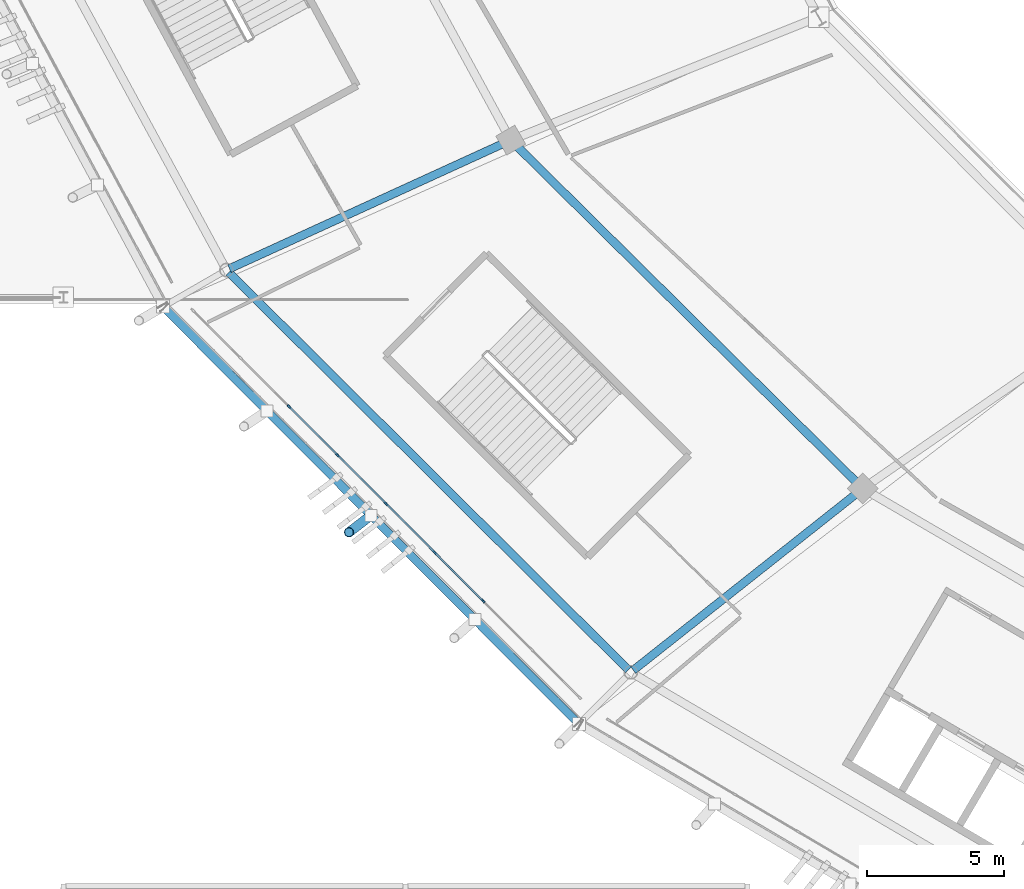
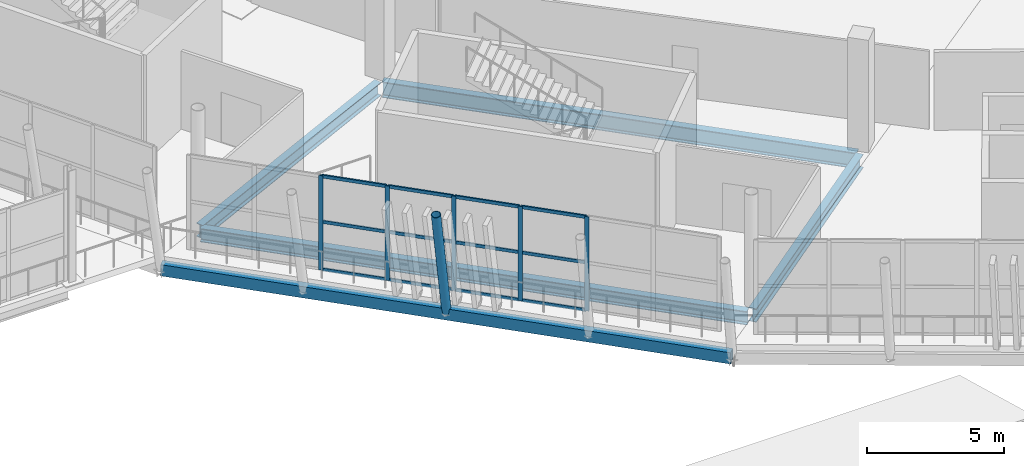
# One storey, part 30 of 179: 18 members, 5 beams, 1 element without a shape of its own.
"""IFC4 building model written with IfcOpenShell, lengths in metres."""

from ifc_helpers import new_model, si_unit, direction, frame, origin, origin_2d, place, context, subcontext, project, spatial, rectangle, hollow_rectangle, hollow_circle, i_section, extrude, material, material_profile, profile_set, type_object, element, aggregate, save


model = new_model("IFC4")

# Units and contexts
model_context = context("Model", 3, precision=1e-05, world=origin(), true_north=direction((0.0, 1.0)))
body_context = subcontext(model_context, "Body", "Model", "MODEL_VIEW")
ifc_project = project(units=[si_unit("LENGTHUNIT", "METRE"), si_unit("AREAUNIT", "SQUARE_METRE"), si_unit("VOLUMEUNIT", "CUBIC_METRE"), si_unit("PLANEANGLEUNIT", "RADIAN"), si_unit("MASSUNIT", "GRAM", prefix="KILO")], contexts=[model_context])

# Site, building, storey
site_placement = place(None, origin())
site = spatial("IfcSite", under=ifc_project, at=site_placement, CompositionType="ELEMENT")
building_placement = place(site_placement, origin())
building = spatial("IfcBuilding", under=site, at=building_placement, Name="Zlatoyarsky Gate Stadium", CompositionType="ELEMENT")
storey_placement = place(building_placement, frame((0.0, 0.0, 10.60009765625)))
storey = spatial("IfcBuildingStorey", under=building, at=storey_placement, Name="L02", CompositionType="ELEMENT", Elevation=10.60009765625)

# Curtain wall, members
ifc_material_1 = material(Name="Thermally broken anodised aluminium curtain wall", Category="aluminium")
curtain_wall_type = type_object("IfcCurtainWallType", Name="UNITISED HOSPITALITY GLAZING L02", PredefinedType="USERDEFINED", material=ifc_material_1)
curtain_wall_placement = place(storey_placement, origin())
curtain_wall = element("IfcCurtainWall", 1, at=curtain_wall_placement, inside=storey, type_object=curtain_wall_type, Name="Curtain wall CW-L02-14", ObjectType="UNITISED GLAZING", PredefinedType="USERDEFINED")
ifc_material_2 = material(Name="Anodised aluminium 6063-T6", Category="aluminium")
ifc_material_profile_1 = material_profile(ifc_material_2, rectangle(XDim=0.06494140625, YDim=0.159912109375, at=origin_2d()), Name="ALU 65X160")
ifc_profile_set_1 = profile_set([ifc_material_profile_1], Name="Anodised aluminium 6063-T6")
member_type_1 = type_object("IfcMemberType", Name="ALUMINIUM MULLION 65X160", PredefinedType="MULLION", material=ifc_profile_set_1)
member_1_placement = place(storey_placement, frame((32.75146484375, 39.503662109375, 0.0), z_axis=(0.0, 0.0, 1.0), x_axis=(0.707587678066, 0.706625557031, 0.0)))
member_1 = element("IfcMember", 2, at=member_1_placement, type_object=member_type_1, Name="CW-UG2 mullion 3", PredefinedType="MULLION", context=body_context, shape_type="SweptSolid", body=[
    extrude(rectangle(XDim=0.06494140625, YDim=0.159912109375, at=origin_2d()), origin(), (0.0, 0.0, 1.0), 4.199951171875),
])
member_2_placement = place(storey_placement, frame((34.5234375, 37.7294921875, 0.0), z_axis=(0.0, 0.0, 1.0), x_axis=(0.707587678066, 0.706625557031, 0.0)))
member_2 = element("IfcMember", 3, at=member_2_placement, type_object=member_type_1, Name="CW-UG2 mullion 4", PredefinedType="MULLION", context=body_context, shape_type="SweptSolid", body=[
    extrude(rectangle(XDim=0.06494140625, YDim=0.159912109375, at=origin_2d()), origin(), (0.0, 0.0, 1.0), 4.199951171875),
])
member_3_placement = place(storey_placement, frame((36.295166015625, 35.955078125, 0.0), z_axis=(0.0, 0.0, 1.0), x_axis=(0.707587678066, 0.706625557031, 0.0)))
member_3 = element("IfcMember", 4, at=member_3_placement, type_object=member_type_1, Name="CW-UG2 mullion 5", PredefinedType="MULLION", context=body_context, shape_type="SweptSolid", body=[
    extrude(rectangle(XDim=0.06494140625, YDim=0.159912109375, at=origin_2d()), origin(), (0.0, 0.0, 1.0), 4.199951171875),
])
member_4_placement = place(storey_placement, frame((38.067138671875, 34.180908203125, 0.0), z_axis=(0.0, 0.0, 1.0), x_axis=(0.707587678066, 0.706625557031, 0.0)))
member_4 = element("IfcMember", 5, at=member_4_placement, type_object=member_type_1, Name="CW-UG2 mullion 6", PredefinedType="MULLION", context=body_context, shape_type="SweptSolid", body=[
    extrude(rectangle(XDim=0.06494140625, YDim=0.159912109375, at=origin_2d()), origin(), (0.0, 0.0, 1.0), 4.199951171875),
])
member_5_placement = place(storey_placement, frame((39.8388671875, 32.40673828125, 0.0), z_axis=(0.0, 0.0, 1.0), x_axis=(0.707587678066, 0.706625557031, 0.0)))
member_5 = element("IfcMember", 6, at=member_5_placement, type_object=member_type_1, Name="CW-UG2 mullion 7", PredefinedType="MULLION", context=body_context, shape_type="SweptSolid", body=[
    extrude(rectangle(XDim=0.06494140625, YDim=0.159912109375, at=origin_2d()), origin(), (0.0, 0.0, 1.0), 4.199951171875),
])
ifc_material_profile_2 = material_profile(ifc_material_2, rectangle(XDim=0.06494140625, YDim=0.139892578125, at=origin_2d()), Name="ALU 65X140")
ifc_profile_set_2 = profile_set([ifc_material_profile_2], Name="Anodised aluminium 6063-T6")
member_type_2 = type_object("IfcMemberType", Name="ALUMINIUM TRANSOM 65X140", PredefinedType="USERDEFINED", material=ifc_profile_set_2)
member_6_placement = place(storey_placement, frame((32.7744140625, 39.480712890625, 0.032470703125), z_axis=(0.706656856545, -0.707556419728, 0.0), x_axis=(0.707556419728, 0.706656856545, 0.0)))
member_6 = element("IfcMember", 7, at=member_6_placement, type_object=member_type_2, Name="CW-UG2 transom 3.1", ObjectType="TRANSOM", PredefinedType="USERDEFINED", context=body_context, shape_type="SweptSolid", body=[
    extrude(rectangle(XDim=0.06494140625, YDim=0.139892578125, at=origin_2d()), origin(), (0.0, 0.0, 1.0), 2.442626953125),
])
member_7_placement = place(storey_placement, frame((32.7744140625, 39.480712890625, 2.14990234375), z_axis=(0.706656856545, -0.707556419728, 0.0), x_axis=(0.707556419728, 0.706656856545, 0.0)))
member_7 = element("IfcMember", 8, at=member_7_placement, type_object=member_type_2, Name="CW-UG2 transom 3.2", ObjectType="TRANSOM", PredefinedType="USERDEFINED", context=body_context, shape_type="SweptSolid", body=[
    extrude(rectangle(XDim=0.06494140625, YDim=0.139892578125, at=origin_2d()), origin(), (0.0, 0.0, 1.0), 2.442626953125),
])
member_8_placement = place(storey_placement, frame((32.7744140625, 39.480712890625, 4.16748046875), z_axis=(0.706656856545, -0.707556419728, 0.0), x_axis=(0.707556419728, 0.706656856545, 0.0)))
member_8 = element("IfcMember", 9, at=member_8_placement, type_object=member_type_2, Name="CW-UG2 transom 3.3", ObjectType="TRANSOM", PredefinedType="USERDEFINED", context=body_context, shape_type="SweptSolid", body=[
    extrude(rectangle(XDim=0.06494140625, YDim=0.139892578125, at=origin_2d()), origin(), (0.0, 0.0, 1.0), 2.442626953125),
])
member_9_placement = place(storey_placement, frame((34.54638671875, 37.706298828125, 0.032470703125), z_axis=(0.706606811932, -0.707606397181, 0.0), x_axis=(0.707606397181, 0.706606811932, 0.0)))
member_9 = element("IfcMember", 10, at=member_9_placement, type_object=member_type_2, Name="CW-UG2 transom 4.1", ObjectType="TRANSOM", PredefinedType="USERDEFINED", context=body_context, shape_type="SweptSolid", body=[
    extrude(rectangle(XDim=0.06494140625, YDim=0.139892578125, at=origin_2d()), origin(), (0.0, 0.0, 1.0), 2.4423828125),
])
member_10_placement = place(storey_placement, frame((34.54638671875, 37.706298828125, 2.14990234375), z_axis=(0.706606811932, -0.707606397181, 0.0), x_axis=(0.707606397181, 0.706606811932, 0.0)))
member_10 = element("IfcMember", 11, at=member_10_placement, type_object=member_type_2, Name="CW-UG2 transom 4.2", ObjectType="TRANSOM", PredefinedType="USERDEFINED", context=body_context, shape_type="SweptSolid", body=[
    extrude(rectangle(XDim=0.06494140625, YDim=0.139892578125, at=origin_2d()), origin(), (0.0, 0.0, 1.0), 2.4423828125),
])
member_11_placement = place(storey_placement, frame((34.54638671875, 37.706298828125, 4.16748046875), z_axis=(0.706606811932, -0.707606397181, 0.0), x_axis=(0.707606397181, 0.706606811932, 0.0)))
member_11 = element("IfcMember", 12, at=member_11_placement, type_object=member_type_2, Name="CW-UG2 transom 4.3", ObjectType="TRANSOM", PredefinedType="USERDEFINED", context=body_context, shape_type="SweptSolid", body=[
    extrude(rectangle(XDim=0.06494140625, YDim=0.139892578125, at=origin_2d()), origin(), (0.0, 0.0, 1.0), 2.4423828125),
])
member_12_placement = place(storey_placement, frame((36.318115234375, 35.93212890625, 0.032470703125), z_axis=(0.706656856545, -0.707556419728, 0.0), x_axis=(0.707556419728, 0.706656856545, 0.0)))
member_12 = element("IfcMember", 13, at=member_12_placement, type_object=member_type_2, Name="CW-UG2 transom 5.1", ObjectType="TRANSOM", PredefinedType="USERDEFINED", context=body_context, shape_type="SweptSolid", body=[
    extrude(rectangle(XDim=0.06494140625, YDim=0.139892578125, at=origin_2d()), origin(), (0.0, 0.0, 1.0), 2.442626953125),
])
member_13_placement = place(storey_placement, frame((36.318115234375, 35.93212890625, 2.14990234375), z_axis=(0.706656856545, -0.707556419728, 0.0), x_axis=(0.707556419728, 0.706656856545, 0.0)))
member_13 = element("IfcMember", 14, at=member_13_placement, type_object=member_type_2, Name="CW-UG2 transom 5.2", ObjectType="TRANSOM", PredefinedType="USERDEFINED", context=body_context, shape_type="SweptSolid", body=[
    extrude(rectangle(XDim=0.06494140625, YDim=0.139892578125, at=origin_2d()), origin(), (0.0, 0.0, 1.0), 2.442626953125),
])
member_14_placement = place(storey_placement, frame((36.318115234375, 35.93212890625, 4.16748046875), z_axis=(0.706656856545, -0.707556419728, 0.0), x_axis=(0.707556419728, 0.706656856545, 0.0)))
member_14 = element("IfcMember", 15, at=member_14_placement, type_object=member_type_2, Name="CW-UG2 transom 5.3", ObjectType="TRANSOM", PredefinedType="USERDEFINED", context=body_context, shape_type="SweptSolid", body=[
    extrude(rectangle(XDim=0.06494140625, YDim=0.139892578125, at=origin_2d()), origin(), (0.0, 0.0, 1.0), 2.442626953125),
])
member_15_placement = place(storey_placement, frame((38.090087890625, 34.157958984375, 0.032470703125), z_axis=(0.706606811932, -0.707606397181, 0.0), x_axis=(0.707606397181, 0.706606811932, 0.0)))
member_15 = element("IfcMember", 16, at=member_15_placement, type_object=member_type_2, Name="CW-UG2 transom 6.1", ObjectType="TRANSOM", PredefinedType="USERDEFINED", context=body_context, shape_type="SweptSolid", body=[
    extrude(rectangle(XDim=0.06494140625, YDim=0.139892578125, at=origin_2d()), origin(), (0.0, 0.0, 1.0), 2.4423828125),
])
member_16_placement = place(storey_placement, frame((38.090087890625, 34.157958984375, 2.14990234375), z_axis=(0.706606811932, -0.707606397181, 0.0), x_axis=(0.707606397181, 0.706606811932, 0.0)))
member_16 = element("IfcMember", 17, at=member_16_placement, type_object=member_type_2, Name="CW-UG2 transom 6.2", ObjectType="TRANSOM", PredefinedType="USERDEFINED", context=body_context, shape_type="SweptSolid", body=[
    extrude(rectangle(XDim=0.06494140625, YDim=0.139892578125, at=origin_2d()), origin(), (0.0, 0.0, 1.0), 2.4423828125),
])
member_17_placement = place(storey_placement, frame((38.090087890625, 34.157958984375, 4.16748046875), z_axis=(0.706606811932, -0.707606397181, 0.0), x_axis=(0.707606397181, 0.706606811932, 0.0)))
member_17 = element("IfcMember", 18, at=member_17_placement, type_object=member_type_2, Name="CW-UG2 transom 6.3", ObjectType="TRANSOM", PredefinedType="USERDEFINED", context=body_context, shape_type="SweptSolid", body=[
    extrude(rectangle(XDim=0.06494140625, YDim=0.139892578125, at=origin_2d()), origin(), (0.0, 0.0, 1.0), 2.4423828125),
])
aggregate(curtain_wall, [member_1, member_2, member_3, member_4, member_5, member_6, member_7, member_8, member_9, member_10, member_11, member_12, member_13, member_14, member_15, member_16, member_17])

# Member
ifc_material_3 = material(Name="Steel S355", Category="steel")
ifc_material_profile_3 = material_profile(ifc_material_3, hollow_circle(Radius=0.177734375, WallThickness=0.02001953125, at=origin_2d()), Name="CHS 355.6X20")
ifc_profile_set_3 = profile_set([ifc_material_profile_3], Name="Steel S355")
member_type_3 = type_object("IfcMemberType", Name="STEEL LEANING RIB RING STRUT CHS 355.6X20", PredefinedType="STRUT", material=ifc_profile_set_3)
member_18_placement = place(storey_placement, frame((35.744384765625, 35.53271484375, -0.530029296875), z_axis=(-0.158183360876, -0.121436591018, 0.9799138629), x_axis=(0.608945194489, -0.793212298259, 0.0)))
element("IfcMember", 19, at=member_18_placement, inside=storey, type_object=member_type_3, Name="Outward-leaning bowl louvre fin rib L02 14-2", PredefinedType="STRUT", context=body_context, shape_type="SweptSolid", body=[
    extrude(hollow_circle(Radius=0.177734375, WallThickness=0.02001953125, at=origin_2d()), origin(), (0.0, 0.0, 1.0), 5.1025390625),
])

# Beams
ifc_material_profile_4 = material_profile(ifc_material_3, hollow_rectangle(XDim=0.300048828125, YDim=0.5, WallThickness=0.02001953125, at=origin_2d()), Name="RHS 500X300X20")
ifc_profile_set_4 = profile_set([ifc_material_profile_4], Name="Steel S355")
beam_type_1 = type_object("IfcBeamType", Name="STEEL LOUVRE CARRIER SPANDREL RHS 500X300X20", PredefinedType="SPANDREL", material=ifc_profile_set_4)
beam_1_placement = place(storey_placement, frame((28.15625, 43.14794921875, -0.530029296875), z_axis=(0.7058509581, -0.708360377879, 0.0), x_axis=(0.708360377879, 0.7058509581, 0.0)))
element("IfcBeam", 20, at=beam_1_placement, inside=storey, type_object=beam_type_1, Name="Beam SP-RHS500 BM-L02-SPD-14", PredefinedType="SPANDREL", context=body_context, shape_type="SweptSolid", body=[
    extrude(hollow_rectangle(XDim=0.300048828125, YDim=0.5, WallThickness=0.02001953125, at=origin_2d()), origin(), (0.0, 0.0, 1.0), 21.5009765625),
])
ifc_material_profile_5 = material_profile(ifc_material_3, i_section(OverallWidth=0.300048828125, OverallDepth=0.60009765625, WebThickness=0.015380859375, FlangeThickness=0.030029296875, FilletRadius=0.027099609375, at=origin_2d()), Name="HEB 600")
ifc_profile_set_5 = profile_set([ifc_material_profile_5], Name="Steel S355")
beam_type_2 = type_object("IfcBeamType", Name="STEEL PRIMARY GIRDER HEB 600", PredefinedType="BEAM", material=ifc_profile_set_5)
beam_2_placement = place(storey_placement, frame((40.742919921875, 49.2001953125, -0.580078125), z_axis=(-0.909498994842, -0.415706120213, 0.0), x_axis=(0.415706120213, -0.909498994842, 0.0)))
element("IfcBeam", 21, at=beam_2_placement, inside=storey, type_object=beam_type_2, Name="Beam G-HEB600 BM-L02-RBC-14", PredefinedType="BEAM", context=body_context, shape_type="SweptSolid", body=[
    extrude(i_section(OverallWidth=0.300048828125, OverallDepth=0.60009765625, WebThickness=0.015380859375, FlangeThickness=0.030029296875, FilletRadius=0.027099609375, at=origin_2d()), origin(), (0.0, 0.0, 1.0), 11.186767578125),
])
beam_3_placement = place(storey_placement, frame((30.544677734375, 44.415283203125, -0.580078125), z_axis=(0.708899260134, -0.705309746835, 0.0), x_axis=(0.705309746835, 0.708899260134, 0.0)))
element("IfcBeam", 22, at=beam_3_placement, inside=storey, type_object=beam_type_2, Name="Beam G-HEB600 BM-L02-CRC-14", PredefinedType="BEAM", context=body_context, shape_type="SweptSolid", body=[
    extrude(i_section(OverallWidth=0.300048828125, OverallDepth=0.60009765625, WebThickness=0.015380859375, FlangeThickness=0.030029296875, FilletRadius=0.027099609375, at=origin_2d()), origin(), (0.0, 0.0, 1.0), 20.608642578125),
])
beam_4_placement = place(storey_placement, frame((53.63037109375, 36.4384765625, -0.580078125), z_axis=(-0.78404348542, -0.620705898933, 0.0), x_axis=(0.620705898933, -0.78404348542, 0.0)))
element("IfcBeam", 23, at=beam_4_placement, inside=storey, type_object=beam_type_2, Name="Beam G-HEB600 BM-L02-RBC-15", PredefinedType="BEAM", context=body_context, shape_type="SweptSolid", body=[
    extrude(i_section(OverallWidth=0.300048828125, OverallDepth=0.60009765625, WebThickness=0.015380859375, FlangeThickness=0.030029296875, FilletRadius=0.027099609375, at=origin_2d()), origin(), (0.0, 0.0, 1.0), 10.58251953125),
])
ifc_material_profile_6 = material_profile(ifc_material_3, i_section(OverallWidth=0.300048828125, OverallDepth=0.699951171875, WebThickness=0.01708984375, FlangeThickness=0.031982421875, FilletRadius=0.027099609375, at=origin_2d()), Name="HEB 700")
ifc_profile_set_6 = profile_set([ifc_material_profile_6], Name="Steel S355")
beam_type_3 = type_object("IfcBeamType", Name="STEEL PRIMARY GIRDER HEB 700", PredefinedType="BEAM", material=ifc_profile_set_6)
beam_5_placement = place(storey_placement, frame((40.937255859375, 49.16552734375, -0.630126953125), z_axis=(0.710840510009, -0.703353232259, 0.0), x_axis=(0.703353232259, 0.710840510009, 0.0)))
element("IfcBeam", 24, at=beam_5_placement, inside=storey, type_object=beam_type_3, Name="Beam G-HEB700 BM-L02-CRB-14", PredefinedType="BEAM", context=body_context, shape_type="SweptSolid", body=[
    extrude(i_section(OverallWidth=0.300048828125, OverallDepth=0.699951171875, WebThickness=0.01708984375, FlangeThickness=0.031982421875, FilletRadius=0.027099609375, at=origin_2d()), origin(), (0.0, 0.0, 1.0), 17.868896484375),
])

save(model, "model.ifc")
